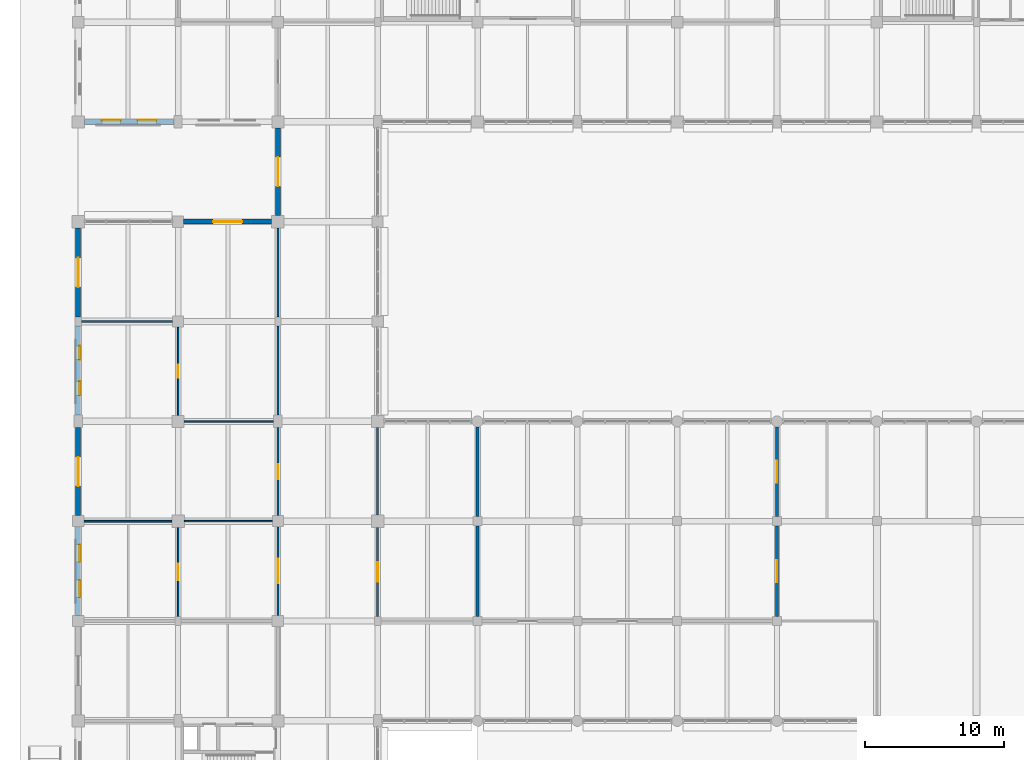
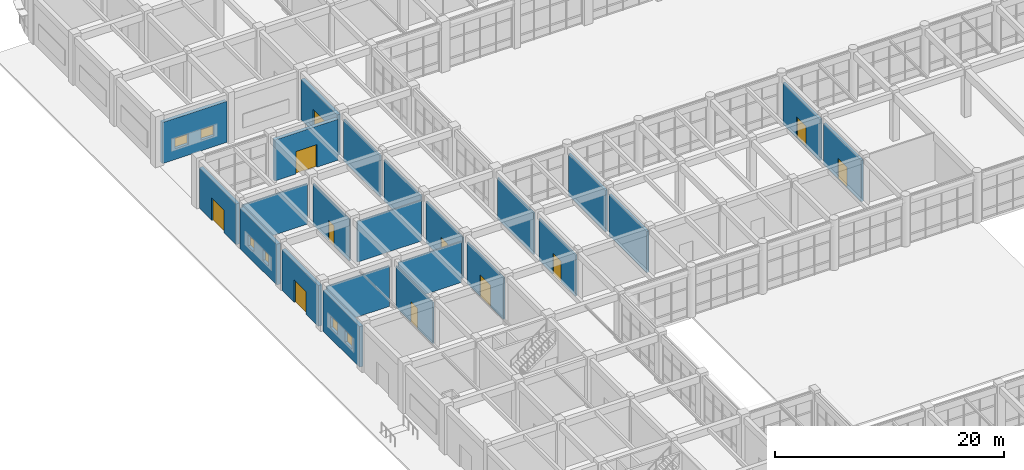
# One storey, part 140 of 160: 23 walls, 11 doors, 6 windows, 17 openings.
"""IFC4 building model written with IfcOpenShell, lengths in metres."""

from ifc_helpers import new_model, si_unit, direction, frame, frame_2d, origin, place, context, subcontext, project, spatial, rectangle, extrude, material, layer, layer_set, type_object, element, fill, save


model = new_model("IFC4")

# Units and contexts
model_context = context("Model", 3, precision=1e-05, world=origin(), true_north=direction((0.0, 1.0)))
body_context = subcontext(model_context, "Body", "Model", "MODEL_VIEW")
ifc_project = project(units=[si_unit("LENGTHUNIT", "METRE"), si_unit("AREAUNIT", "SQUARE_METRE"), si_unit("VOLUMEUNIT", "CUBIC_METRE"), si_unit("PLANEANGLEUNIT", "RADIAN"), si_unit("MASSUNIT", "GRAM", prefix="KILO")], contexts=[model_context])

# Site, building, storey
site_placement = place(None, origin())
site = spatial("IfcSite", under=ifc_project, at=site_placement, CompositionType="ELEMENT")
building_placement = place(site_placement, origin())
building = spatial("IfcBuilding", under=site, at=building_placement, Name="Thalmaran Polytechnic", CompositionType="ELEMENT")
storey_placement = place(building_placement, origin())
storey = spatial("IfcBuildingStorey", under=building, at=storey_placement, Name="L00", CompositionType="ELEMENT", Elevation=0.0)

# Wall, openings, windows
ifc_material_1 = material(Name="Precast concrete C40/50", Category="concrete")
ifc_layer_1 = layer(ifc_material_1, 0.360107421875, Name="Precast concrete C40/50")
ifc_layer_set_1 = layer_set([ifc_layer_1], Name="Precast concrete C40/50")
wall_type_1 = type_object("IfcWallType", Name="WL-EW01", PredefinedType="STANDARD", material=ifc_layer_set_1)
wall_1_placement = place(storey_placement, frame((0.0, 58.010009765625, 0.0), z_axis=(0.0, 0.0, 1.0), x_axis=(0.0, 1.0, 0.0)))
wall_1 = element("IfcWall", 1, at=wall_1_placement, inside=storey, type_object=wall_type_1, Name="Exterior Precast Facade Wall L00-009", PredefinedType="STANDARD", context=body_context, shape_type="SweptSolid", body=[
    extrude(rectangle(XDim=6.389892578125, YDim=0.360107421875, at=frame_2d((3.19482421875, 0.0))), origin(), (0.0, 0.0, 1.0), 4.3349609375),
])
opening_1_placement = place(wall_1_placement, frame((1.2919921875, 0.0, 1.14990234375)))
opening_1 = element("IfcOpeningElement", 2, at=opening_1_placement, cuts=wall_1, Name="Opening VW11", PredefinedType="OPENING", context=body_context, shape_type="SweptSolid", body=[
    extrude(rectangle(XDim=1.25, YDim=1.25, at=frame_2d((0.625, 0.625))), frame((0.0, 0.18994140625, 0.0), z_axis=(0.0, -1.0, 0.0), x_axis=(1.0, 0.0, 0.0)), (0.0, 0.0, 1.0), 0.380126953125),
])
opening_2_placement = place(wall_1_placement, frame((3.847900390625, 0.0, 1.14990234375)))
opening_2 = element("IfcOpeningElement", 3, at=opening_2_placement, cuts=wall_1, Name="Opening VW11", PredefinedType="OPENING", context=body_context, shape_type="SweptSolid", body=[
    extrude(rectangle(XDim=1.25, YDim=1.25, at=frame_2d((0.625, 0.625))), frame((0.0, 0.18994140625, 0.0), z_axis=(0.0, -1.0, 0.0), x_axis=(1.0, 0.0, 0.0)), (0.0, 0.0, 1.0), 0.380126953125),
])
ifc_material_2 = material(Name="Thermally broken aluminium and double low-E glass", Category="aluminium")
window_type_1 = type_object("IfcWindowType", Name="WN-VZ11", PartitioningType="SINGLE_PANEL", PredefinedType="WINDOW", material=ifc_material_2)
window_1_placement = place(opening_1_placement, origin())
window_1 = element("IfcWindow", 4, at=window_1_placement, inside=storey, type_object=window_type_1, Name="Deep-Set Solar-Screened Window W-0005", OverallHeight=1.25, OverallWidth=1.25, PartitioningType="SINGLE_PANEL", PredefinedType="WINDOW", context=body_context, shape_type="SweptSolid", body=[
    extrude(rectangle(XDim=1.25, YDim=1.25, at=frame_2d((0.625, 0.625))), frame((0.0, -0.080078125, 0.0), z_axis=(0.0, -1.0, 0.0), x_axis=(1.0, 0.0, 0.0)), (0.0, 0.0, 1.0), 0.06005859375),
])
fill(opening_1, window_1)
window_2_placement = place(opening_2_placement, origin())
window_2 = element("IfcWindow", 5, at=window_2_placement, inside=storey, type_object=window_type_1, Name="Deep-Set Solar-Screened Window W-0006", OverallHeight=1.25, OverallWidth=1.25, PartitioningType="SINGLE_PANEL", PredefinedType="WINDOW", context=body_context, shape_type="SweptSolid", body=[
    extrude(rectangle(XDim=1.25, YDim=1.25, at=frame_2d((0.625, 0.625))), frame((0.0, -0.080078125, 0.0), z_axis=(0.0, -1.0, 0.0), x_axis=(1.0, 0.0, 0.0)), (0.0, 0.0, 1.0), 0.06005859375),
])
fill(opening_2, window_2)

# Wall, opening, door
wall_2_placement = place(storey_placement, frame((0.0, 65.199951171875, 0.0), z_axis=(0.0, 0.0, 1.0), x_axis=(0.0, 1.0, 0.0)))
wall_2 = element("IfcWall", 6, at=wall_2_placement, inside=storey, type_object=wall_type_1, Name="Ground Entrance Portal Wall L00-010", PredefinedType="STANDARD", context=body_context, shape_type="SweptSolid", body=[
    extrude(rectangle(XDim=6.35009765625, YDim=0.360107421875, at=frame_2d((3.175048828125, 0.0))), origin(), (0.0, 0.0, 1.0), 4.3349609375),
])
opening_3_placement = place(wall_2_placement, frame((2.125, 0.0, 0.0)))
opening_3 = element("IfcOpeningElement", 7, at=opening_3_placement, cuts=wall_2, Name="Opening ED-05", PredefinedType="OPENING", context=body_context, shape_type="SweptSolid", body=[
    extrude(rectangle(XDim=2.10009765625, YDim=2.39990234375, at=frame_2d((1.050048828125, 1.199951171875))), frame((0.0, 0.18994140625, 0.0), z_axis=(0.0, -1.0, 0.0), x_axis=(1.0, 0.0, 0.0)), (0.0, 0.0, 1.0), 0.380126953125),
])
ifc_material_3 = material(Name="Anodised aluminium and safety glass", Category="aluminium")
door_type_1 = type_object("IfcDoorType", Name="DR-ED01", OperationType="NOTDEFINED", PredefinedType="DOOR", material=ifc_material_3)
door_1_placement = place(opening_3_placement, origin())
door_1 = element("IfcDoor", 8, at=door_1_placement, inside=storey, type_object=door_type_1, Name="Pedestrian Final Exit Door ED-05", OperationType="DOUBLE_DOOR_SINGLE_SWING", OverallHeight=2.39990234375, OverallWidth=2.10009765625, PredefinedType="DOOR", context=body_context, shape_type="SweptSolid", body=[
    extrude(rectangle(XDim=2.10009765625, YDim=2.39990234375, at=frame_2d((1.050048828125, 1.199951171875))), frame((0.0, 0.02490234375, 0.0), z_axis=(0.0, -1.0, 0.0), x_axis=(1.0, 0.0, 0.0)), (0.0, 0.0, 1.0), 0.050048828125),
])
fill(opening_3, door_1)

# Wall, openings, windows
wall_3_placement = place(storey_placement, frame((0.0, 72.449951171875, 0.0), z_axis=(0.0, 0.0, 1.0), x_axis=(0.0, 1.0, 0.0)))
wall_3 = element("IfcWall", 9, at=wall_3_placement, inside=storey, type_object=wall_type_1, Name="Exterior Precast Facade Wall L00-011", PredefinedType="STANDARD", context=body_context, shape_type="SweptSolid", body=[
    extrude(rectangle(XDim=6.425048828125, YDim=0.360107421875, at=frame_2d((3.21240234375, 0.0))), origin(), (0.0, 0.0, 1.0), 4.3349609375),
])
opening_4_placement = place(wall_3_placement, frame((1.427490234375, 0.0, 1.14990234375)))
opening_4 = element("IfcOpeningElement", 10, at=opening_4_placement, cuts=wall_3, Name="Opening VW13", PredefinedType="OPENING", context=body_context, shape_type="SweptSolid", body=[
    extrude(rectangle(XDim=1.0, YDim=1.199951171875, at=frame_2d((0.5, 0.60009765625))), frame((0.0, 0.18994140625, 0.0), z_axis=(0.0, -1.0, 0.0), x_axis=(1.0, 0.0, 0.0)), (0.0, 0.0, 1.0), 0.380126953125),
])
opening_5_placement = place(wall_3_placement, frame((3.99755859375, 0.0, 1.14990234375)))
opening_5 = element("IfcOpeningElement", 11, at=opening_5_placement, cuts=wall_3, Name="Opening VW13", PredefinedType="OPENING", context=body_context, shape_type="SweptSolid", body=[
    extrude(rectangle(XDim=1.0, YDim=1.199951171875, at=frame_2d((0.5, 0.60009765625))), frame((0.0, 0.18994140625, 0.0), z_axis=(0.0, -1.0, 0.0), x_axis=(1.0, 0.0, 0.0)), (0.0, 0.0, 1.0), 0.380126953125),
])
window_type_2 = type_object("IfcWindowType", Name="WN-VZ13", PartitioningType="SINGLE_PANEL", PredefinedType="WINDOW", material=ifc_material_2)
window_3_placement = place(opening_4_placement, origin())
window_3 = element("IfcWindow", 12, at=window_3_placement, inside=storey, type_object=window_type_2, Name="Deep-Set Solar-Screened Window W-0007", OverallHeight=1.199951171875, OverallWidth=1.0, PartitioningType="SINGLE_PANEL", PredefinedType="WINDOW", context=body_context, shape_type="SweptSolid", body=[
    extrude(rectangle(XDim=1.0, YDim=1.199951171875, at=frame_2d((0.5, 0.60009765625))), frame((0.0, -0.080078125, 0.0), z_axis=(0.0, -1.0, 0.0), x_axis=(1.0, 0.0, 0.0)), (0.0, 0.0, 1.0), 0.06005859375),
])
fill(opening_4, window_3)
window_4_placement = place(opening_5_placement, origin())
window_4 = element("IfcWindow", 13, at=window_4_placement, inside=storey, type_object=window_type_2, Name="Deep-Set Solar-Screened Window W-0008", OverallHeight=1.199951171875, OverallWidth=1.0, PartitioningType="SINGLE_PANEL", PredefinedType="WINDOW", context=body_context, shape_type="SweptSolid", body=[
    extrude(rectangle(XDim=1.0, YDim=1.199951171875, at=frame_2d((0.5, 0.60009765625))), frame((0.0, -0.080078125, 0.0), z_axis=(0.0, -1.0, 0.0), x_axis=(1.0, 0.0, 0.0)), (0.0, 0.0, 1.0), 0.06005859375),
])
fill(opening_5, window_4)

# Wall, opening, door
wall_4_placement = place(storey_placement, frame((0.0, 79.52490234375, 0.0), z_axis=(0.0, 0.0, 1.0), x_axis=(0.0, 1.0, 0.0)))
wall_4 = element("IfcWall", 14, at=wall_4_placement, inside=storey, type_object=wall_type_1, Name="Ground Entrance Portal Wall L00-012", PredefinedType="STANDARD", context=body_context, shape_type="SweptSolid", body=[
    extrude(rectangle(XDim=6.425048828125, YDim=0.360107421875, at=frame_2d((3.21240234375, 0.0))), origin(), (0.0, 0.0, 1.0), 4.3349609375),
])
opening_6_placement = place(wall_4_placement, frame((2.16259765625, 0.0, 0.0)))
opening_6 = element("IfcOpeningElement", 15, at=opening_6_placement, cuts=wall_4, Name="Opening ED-06", PredefinedType="OPENING", context=body_context, shape_type="SweptSolid", body=[
    extrude(rectangle(XDim=2.10009765625, YDim=2.39990234375, at=frame_2d((1.050048828125, 1.199951171875))), frame((0.0, 0.18994140625, 0.0), z_axis=(0.0, -1.0, 0.0), x_axis=(1.0, 0.0, 0.0)), (0.0, 0.0, 1.0), 0.380126953125),
])
door_2_placement = place(opening_6_placement, origin())
door_2 = element("IfcDoor", 16, at=door_2_placement, inside=storey, type_object=door_type_1, Name="Pedestrian Final Exit Door ED-06", OperationType="DOUBLE_DOOR_SINGLE_SWING", OverallHeight=2.39990234375, OverallWidth=2.10009765625, PredefinedType="DOOR", context=body_context, shape_type="SweptSolid", body=[
    extrude(rectangle(XDim=2.10009765625, YDim=2.39990234375, at=frame_2d((1.050048828125, 1.199951171875))), frame((0.0, 0.02490234375, 0.0), z_axis=(0.0, -1.0, 0.0), x_axis=(1.0, 0.0, 0.0)), (0.0, 0.0, 1.0), 0.050048828125),
])
fill(opening_6, door_2)

wall_5_placement = place(storey_placement, frame((7.60009765625, 86.39990234375, 0.0), z_axis=(0.0, 0.0, 1.0), x_axis=(1.0, 0.0, 0.0)))
wall_5 = element("IfcWall", 17, at=wall_5_placement, inside=storey, type_object=wall_type_1, Name="Ground Entrance Portal Wall L00-014", PredefinedType="STANDARD", context=body_context, shape_type="SweptSolid", body=[
    extrude(rectangle(XDim=6.349853515625, YDim=0.360107421875, at=frame_2d((3.1748046875, 0.0))), origin(), (0.0, 0.0, 1.0), 4.3701171875),
])
opening_7_placement = place(wall_5_placement, frame((2.125, 0.0, 0.0)))
opening_7 = element("IfcOpeningElement", 18, at=opening_7_placement, cuts=wall_5, Name="Opening ED-07", PredefinedType="OPENING", context=body_context, shape_type="SweptSolid", body=[
    extrude(rectangle(XDim=2.10009765625, YDim=2.39990234375, at=frame_2d((1.050048828125, 1.199951171875))), frame((0.0, 0.18994140625, 0.0), z_axis=(0.0, -1.0, 0.0), x_axis=(1.0, 0.0, 0.0)), (0.0, 0.0, 1.0), 0.380126953125),
])
door_3_placement = place(opening_7_placement, origin())
door_3 = element("IfcDoor", 19, at=door_3_placement, inside=storey, type_object=door_type_1, Name="Pedestrian Final Exit Door ED-07", OperationType="DOUBLE_DOOR_SINGLE_SWING", OverallHeight=2.39990234375, OverallWidth=2.10009765625, PredefinedType="DOOR", context=body_context, shape_type="SweptSolid", body=[
    extrude(rectangle(XDim=2.10009765625, YDim=2.39990234375, at=frame_2d((1.050048828125, 1.199951171875))), frame((0.0, 0.02490234375, 0.0), z_axis=(0.0, -1.0, 0.0), x_axis=(1.0, 0.0, 0.0)), (0.0, 0.0, 1.0), 0.050048828125),
])
fill(opening_7, door_3)

wall_6_placement = place(storey_placement, frame((14.39990234375, 86.85009765625, 0.0), z_axis=(0.0, 0.0, 1.0), x_axis=(0.0, 1.0, 0.0)))
wall_6 = element("IfcWall", 20, at=wall_6_placement, inside=storey, type_object=wall_type_1, Name="Ground Entrance Portal Wall L00-015", PredefinedType="STANDARD", context=body_context, shape_type="SweptSolid", body=[
    extrude(rectangle(XDim=6.309814453125, YDim=0.360107421875, at=frame_2d((3.15478515625, 0.0))), origin(), (0.0, 0.0, 1.0), 4.3349609375),
])
opening_8_placement = place(wall_6_placement, frame((2.10498046875, 0.0, 0.0)))
opening_8 = element("IfcOpeningElement", 21, at=opening_8_placement, cuts=wall_6, Name="Opening ED-08", PredefinedType="OPENING", context=body_context, shape_type="SweptSolid", body=[
    extrude(rectangle(XDim=2.10009765625, YDim=2.39990234375, at=frame_2d((1.050048828125, 1.199951171875))), frame((0.0, 0.18994140625, 0.0), z_axis=(0.0, -1.0, 0.0), x_axis=(1.0, 0.0, 0.0)), (0.0, 0.0, 1.0), 0.380126953125),
])
door_4_placement = place(opening_8_placement, origin())
door_4 = element("IfcDoor", 22, at=door_4_placement, inside=storey, type_object=door_type_1, Name="Pedestrian Final Exit Door ED-08", OperationType="DOUBLE_DOOR_SINGLE_SWING", OverallHeight=2.39990234375, OverallWidth=2.10009765625, PredefinedType="DOOR", context=body_context, shape_type="SweptSolid", body=[
    extrude(rectangle(XDim=2.10009765625, YDim=2.39990234375, at=frame_2d((1.050048828125, 1.199951171875))), frame((0.0, 0.02490234375, 0.0), z_axis=(0.0, -1.0, 0.0), x_axis=(1.0, 0.0, 0.0)), (0.0, 0.0, 1.0), 0.050048828125),
])
fill(opening_8, door_4)

# Wall, openings, windows
wall_7_placement = place(storey_placement, frame((6.89990234375, 93.60009765625, 0.0), z_axis=(0.0, 0.0, 1.0), x_axis=(-1.0, 0.0, 0.0)))
wall_7 = element("IfcWall", 23, at=wall_7_placement, inside=storey, type_object=wall_type_1, Name="Exterior Precast Facade Wall L00-017", PredefinedType="STANDARD", context=body_context, shape_type="SweptSolid", body=[
    extrude(rectangle(XDim=6.4599609375, YDim=0.360107421875, at=frame_2d((3.22998046875, 0.0))), origin(), (0.0, 0.0, 1.0), 4.3701171875),
])
opening_9_placement = place(wall_7_placement, frame((1.262939453125, 0.0, 1.14990234375)))
opening_9 = element("IfcOpeningElement", 24, at=opening_9_placement, cuts=wall_7, Name="Opening PW15", PredefinedType="OPENING", context=body_context, shape_type="SweptSolid", body=[
    extrude(rectangle(XDim=1.35009765625, YDim=1.10009765625, at=frame_2d((0.675048828125, 0.550048828125))), frame((0.0, 0.18994140625, 0.0), z_axis=(0.0, -1.0, 0.0), x_axis=(1.0, 0.0, 0.0)), (0.0, 0.0, 1.0), 0.380126953125),
])
opening_10_placement = place(wall_7_placement, frame((3.846923828125, 0.0, 1.14990234375)))
opening_10 = element("IfcOpeningElement", 25, at=opening_10_placement, cuts=wall_7, Name="Opening PW15", PredefinedType="OPENING", context=body_context, shape_type="SweptSolid", body=[
    extrude(rectangle(XDim=1.35009765625, YDim=1.10009765625, at=frame_2d((0.675048828125, 0.550048828125))), frame((0.0, 0.18994140625, 0.0), z_axis=(0.0, -1.0, 0.0), x_axis=(1.0, 0.0, 0.0)), (0.0, 0.0, 1.0), 0.380126953125),
])
window_type_3 = type_object("IfcWindowType", Name="WN-PW05", PartitioningType="SINGLE_PANEL", PredefinedType="WINDOW", material=ifc_material_2)
window_5_placement = place(opening_9_placement, origin())
window_5 = element("IfcWindow", 26, at=window_5_placement, inside=storey, type_object=window_type_3, Name="Deep-Set Solar-Screened Window W-0011", OverallHeight=1.10009765625, OverallWidth=1.35009765625, PartitioningType="SINGLE_PANEL", PredefinedType="WINDOW", context=body_context, shape_type="SweptSolid", body=[
    extrude(rectangle(XDim=1.35009765625, YDim=1.10009765625, at=frame_2d((0.675048828125, 0.550048828125))), frame((0.0, -0.080078125, 0.0), z_axis=(0.0, -1.0, 0.0), x_axis=(1.0, 0.0, 0.0)), (0.0, 0.0, 1.0), 0.06005859375),
])
fill(opening_9, window_5)
window_6_placement = place(opening_10_placement, origin())
window_6 = element("IfcWindow", 27, at=window_6_placement, inside=storey, type_object=window_type_3, Name="Deep-Set Solar-Screened Window W-0012", OverallHeight=1.10009765625, OverallWidth=1.35009765625, PartitioningType="SINGLE_PANEL", PredefinedType="WINDOW", context=body_context, shape_type="SweptSolid", body=[
    extrude(rectangle(XDim=1.35009765625, YDim=1.10009765625, at=frame_2d((0.675048828125, 0.550048828125))), frame((0.0, -0.080078125, 0.0), z_axis=(0.0, -1.0, 0.0), x_axis=(1.0, 0.0, 0.0)), (0.0, 0.0, 1.0), 0.06005859375),
])
fill(opening_10, window_6)

# Walls
ifc_material_4 = material(Name="Autoclaved aerated masonry", Category="masonry")
ifc_layer_2 = layer(ifc_material_4, 0.22998046875, Name="Autoclaved aerated masonry")
ifc_layer_set_2 = layer_set([ifc_layer_2], Name="Autoclaved aerated masonry")
wall_type_2 = type_object("IfcWallType", Name="WL-IW02", PredefinedType="PARTITIONING", material=ifc_layer_set_2)
wall_8_placement = place(storey_placement, frame((28.800048828125, 57.929931640625, 0.0), z_axis=(0.0, 0.0, 1.0), x_axis=(0.0, 1.0, 0.0)))
element("IfcWall", 28, at=wall_8_placement, inside=storey, type_object=wall_type_2, Name="Interior Partition IW02 L00-040", PredefinedType="PARTITIONING", context=body_context, shape_type="SweptSolid", body=[
    extrude(rectangle(XDim=6.5400390625, YDim=0.22998046875, at=frame_2d((3.27001953125, 0.0))), origin(), (0.0, 0.0, 1.0), 4.405029296875),
])
wall_9_placement = place(storey_placement, frame((28.800048828125, 65.1298828125, 0.0), z_axis=(0.0, 0.0, 1.0), x_axis=(0.0, 1.0, 0.0)))
element("IfcWall", 29, at=wall_9_placement, inside=storey, type_object=wall_type_2, Name="Interior Partition IW02 L00-041", PredefinedType="PARTITIONING", context=body_context, shape_type="SweptSolid", body=[
    extrude(rectangle(XDim=6.465087890625, YDim=0.22998046875, at=frame_2d((3.232421875, 0.0))), origin(), (0.0, 0.0, 1.0), 4.405029296875),
])

# Wall, opening, door
wall_10_placement = place(storey_placement, frame((50.39990234375, 57.929931640625, 0.0), z_axis=(0.0, 0.0, 1.0), x_axis=(0.0, 1.0, 0.0)))
wall_10 = element("IfcWall", 30, at=wall_10_placement, inside=storey, type_object=wall_type_2, Name="Interior Partition IW02 L00-058", PredefinedType="PARTITIONING", context=body_context, shape_type="SweptSolid", body=[
    extrude(rectangle(XDim=6.5400390625, YDim=0.22998046875, at=frame_2d((3.27001953125, 0.0))), origin(), (0.0, 0.0, 1.0), 4.405029296875),
])
opening_11_placement = place(wall_10_placement, frame((2.469970703125, 0.0, 0.0)))
opening_11 = element("IfcOpeningElement", 31, at=opening_11_placement, cuts=wall_10, Name="Opening D-L00-012--REF-1", PredefinedType="OPENING", context=body_context, shape_type="SweptSolid", body=[
    extrude(rectangle(XDim=1.60009765625, YDim=2.199951171875, at=frame_2d((0.800048828125, 1.10009765625))), frame((0.0, 0.125, 0.0), z_axis=(0.0, -1.0, 0.0), x_axis=(1.0, 0.0, 0.0)), (0.0, 0.0, 1.0), 0.25),
])
ifc_material_5 = material(Name="Powder-coated fire-rated steel", Category="steel")
door_type_2 = type_object("IfcDoorType", Name="DR-FD05", OperationType="NOTDEFINED", PredefinedType="DOOR", material=ifc_material_5)
door_5_placement = place(opening_11_placement, origin())
door_5 = element("IfcDoor", 32, at=door_5_placement, inside=storey, type_object=door_type_2, Name="Refectory Dining Hall Door 1", OperationType="DOUBLE_DOOR_SINGLE_SWING", OverallHeight=2.199951171875, OverallWidth=1.60009765625, PredefinedType="DOOR", context=body_context, shape_type="SweptSolid", body=[
    extrude(rectangle(XDim=1.60009765625, YDim=2.199951171875, at=frame_2d((0.800048828125, 1.10009765625))), frame((0.0, 0.02490234375, 0.0), z_axis=(0.0, -1.0, 0.0), x_axis=(1.0, 0.0, 0.0)), (0.0, 0.0, 1.0), 0.050048828125),
])
fill(opening_11, door_5)

wall_11_placement = place(storey_placement, frame((50.39990234375, 65.1298828125, 0.0), z_axis=(0.0, 0.0, 1.0), x_axis=(0.0, 1.0, 0.0)))
wall_11 = element("IfcWall", 33, at=wall_11_placement, inside=storey, type_object=wall_type_2, Name="Interior Partition IW02 L00-059", PredefinedType="PARTITIONING", context=body_context, shape_type="SweptSolid", body=[
    extrude(rectangle(XDim=6.465087890625, YDim=0.22998046875, at=frame_2d((3.232421875, 0.0))), origin(), (0.0, 0.0, 1.0), 4.405029296875),
])
opening_12_placement = place(wall_11_placement, frame((2.4326171875, 0.0, 0.0)))
opening_12 = element("IfcOpeningElement", 34, at=opening_12_placement, cuts=wall_11, Name="Opening D-L00-013--REF-2", PredefinedType="OPENING", context=body_context, shape_type="SweptSolid", body=[
    extrude(rectangle(XDim=1.60009765625, YDim=2.199951171875, at=frame_2d((0.800048828125, 1.10009765625))), frame((0.0, 0.125, 0.0), z_axis=(0.0, -1.0, 0.0), x_axis=(1.0, 0.0, 0.0)), (0.0, 0.0, 1.0), 0.25),
])
door_6_placement = place(opening_12_placement, origin())
door_6 = element("IfcDoor", 35, at=door_6_placement, inside=storey, type_object=door_type_2, Name="Refectory Dining Hall Door 2", OperationType="DOUBLE_DOOR_SINGLE_SWING", OverallHeight=2.199951171875, OverallWidth=1.60009765625, PredefinedType="DOOR", context=body_context, shape_type="SweptSolid", body=[
    extrude(rectangle(XDim=1.60009765625, YDim=2.199951171875, at=frame_2d((0.800048828125, 1.10009765625))), frame((0.0, 0.02490234375, 0.0), z_axis=(0.0, -1.0, 0.0), x_axis=(1.0, 0.0, 0.0)), (0.0, 0.0, 1.0), 0.050048828125),
])
fill(opening_12, door_6)

ifc_material_6 = material(Name="Gypsum acoustic partition")
ifc_layer_3 = layer(ifc_material_6, 0.14501953125, Name="Gypsum acoustic partition")
ifc_layer_set_3 = layer_set([ifc_layer_3], Name="Gypsum acoustic partition")
wall_type_3 = type_object("IfcWallType", Name="WL-IW06", PredefinedType="PARTITIONING", material=ifc_layer_set_3)
wall_12_placement = place(storey_placement, frame((14.39990234375, 58.014892578125, 0.0), z_axis=(0.0, 0.0, 1.0), x_axis=(0.0, 1.0, 0.0)))
wall_12 = element("IfcWall", 36, at=wall_12_placement, inside=storey, type_object=wall_type_3, Name="Interior Partition IW06 L00-020", PredefinedType="PARTITIONING", context=body_context, shape_type="SweptSolid", body=[
    extrude(rectangle(XDim=6.380126953125, YDim=0.14501953125, at=frame_2d((3.18994140625, 0.0))), origin(), (0.0, 0.0, 1.0), 4.405029296875),
])
opening_13_placement = place(wall_12_placement, frame((2.31005859375, 0.0, 0.0)))
opening_13 = element("IfcOpeningElement", 37, at=opening_13_placement, cuts=wall_12, Name="Opening D-L00-020-1-07-1", PredefinedType="OPENING", context=body_context, shape_type="SweptSolid", body=[
    extrude(rectangle(XDim=1.760009765625, YDim=2.300048828125, at=frame_2d((0.8798828125, 1.14990234375))), frame((0.0, 0.08251953125, 0.0), z_axis=(0.0, -1.0, 0.0), x_axis=(1.0, 0.0, 0.0)), (0.0, 0.0, 1.0), 0.1650390625),
])
ifc_material_7 = material(Name="Acoustic hardwood and vision glass", Category="wood")
door_type_3 = type_object("IfcDoorType", Name="DR-ZD02", OperationType="NOTDEFINED", PredefinedType="DOOR", material=ifc_material_7)
door_7_placement = place(opening_13_placement, origin())
door_7 = element("IfcDoor", 38, at=door_7_placement, inside=storey, type_object=door_type_3, Name="Environmental Engineering Laboratory L00-07 Door 1", OperationType="SINGLE_SWING_LEFT", OverallHeight=2.300048828125, OverallWidth=1.760009765625, PredefinedType="DOOR", context=body_context, shape_type="SweptSolid", body=[
    extrude(rectangle(XDim=1.760009765625, YDim=2.300048828125, at=frame_2d((0.8798828125, 1.14990234375))), frame((0.0, 0.02490234375, 0.0), z_axis=(0.0, -1.0, 0.0), x_axis=(1.0, 0.0, 0.0)), (0.0, 0.0, 1.0), 0.050048828125),
])
fill(opening_13, door_7)

wall_13_placement = place(storey_placement, frame((14.39990234375, 65.205078125, 0.0), z_axis=(0.0, 0.0, 1.0), x_axis=(0.0, 1.0, 0.0)))
wall_13 = element("IfcWall", 39, at=wall_13_placement, inside=storey, type_object=wall_type_3, Name="Interior Partition IW06 L00-022", PredefinedType="PARTITIONING", context=body_context, shape_type="SweptSolid", body=[
    extrude(rectangle(XDim=6.33984375, YDim=0.14501953125, at=frame_2d((3.169921875, 0.0))), origin(), (0.0, 0.0, 1.0), 4.405029296875),
])
opening_14_placement = place(wall_13_placement, frame((2.6201171875, 0.0, 0.0)))
opening_14 = element("IfcOpeningElement", 40, at=opening_14_placement, cuts=wall_13, Name="Opening D-L00-017-1-04-1", PredefinedType="OPENING", context=body_context, shape_type="SweptSolid", body=[
    extrude(rectangle(XDim=1.10009765625, YDim=2.14990234375, at=frame_2d((0.550048828125, 1.074951171875))), frame((0.0, 0.08251953125, 0.0), z_axis=(0.0, -1.0, 0.0), x_axis=(1.0, 0.0, 0.0)), (0.0, 0.0, 1.0), 0.1650390625),
])
door_type_4 = type_object("IfcDoorType", Name="DR-FD07", OperationType="NOTDEFINED", PredefinedType="DOOR", material=ifc_material_5)
door_8_placement = place(opening_14_placement, origin())
door_8 = element("IfcDoor", 41, at=door_8_placement, inside=storey, type_object=door_type_4, Name="Seminar Room L00-04 Door 1", OperationType="SINGLE_SWING_RIGHT", OverallHeight=2.14990234375, OverallWidth=1.10009765625, PredefinedType="DOOR", context=body_context, shape_type="SweptSolid", body=[
    extrude(rectangle(XDim=1.10009765625, YDim=2.14990234375, at=frame_2d((0.550048828125, 1.074951171875))), frame((0.0, 0.02490234375, 0.0), z_axis=(0.0, -1.0, 0.0), x_axis=(1.0, 0.0, 0.0)), (0.0, 0.0, 1.0), 0.050048828125),
])
fill(opening_14, door_8)

# Walls
wall_14_placement = place(storey_placement, frame((14.39990234375, 72.455078125, 0.0), z_axis=(0.0, 0.0, 1.0), x_axis=(0.0, 1.0, 0.0)))
element("IfcWall", 42, at=wall_14_placement, inside=storey, type_object=wall_type_3, Name="Interior Partition IW06 L00-024", PredefinedType="PARTITIONING", context=body_context, shape_type="SweptSolid", body=[
    extrude(rectangle(XDim=6.4150390625, YDim=0.14501953125, at=frame_2d((3.20751953125, 0.0))), origin(), (0.0, 0.0, 1.0), 4.39990234375),
])
wall_15_placement = place(storey_placement, frame((14.39990234375, 79.530029296875, 0.0), z_axis=(0.0, 0.0, 1.0), x_axis=(0.0, 1.0, 0.0)))
element("IfcWall", 43, at=wall_15_placement, inside=storey, type_object=wall_type_3, Name="Interior Partition IW06 L00-025", PredefinedType="PARTITIONING", context=body_context, shape_type="SweptSolid", body=[
    extrude(rectangle(XDim=6.4150390625, YDim=0.14501953125, at=frame_2d((3.20751953125, 0.0))), origin(), (0.0, 0.0, 1.0), 4.39501953125),
])

# Wall, opening, door
wall_16_placement = place(storey_placement, frame((21.60009765625, 57.929931640625, 0.0), z_axis=(0.0, 0.0, 1.0), x_axis=(0.0, 1.0, 0.0)))
wall_16 = element("IfcWall", 44, at=wall_16_placement, inside=storey, type_object=wall_type_3, Name="Interior Partition IW06 L00-032", PredefinedType="PARTITIONING", context=body_context, shape_type="SweptSolid", body=[
    extrude(rectangle(XDim=6.4150390625, YDim=0.14501953125, at=frame_2d((3.20751953125, 0.0))), origin(), (0.0, 0.0, 1.0), 4.405029296875),
])
opening_15_placement = place(wall_16_placement, frame((2.517578125, 0.0, 0.0)))
opening_15 = element("IfcOpeningElement", 45, at=opening_15_placement, cuts=wall_16, Name="Opening D-L00-022-1-09-1", PredefinedType="OPENING", context=body_context, shape_type="SweptSolid", body=[
    extrude(rectangle(XDim=1.3798828125, YDim=2.219970703125, at=frame_2d((0.68994140625, 1.10986328125))), frame((0.0, 0.08251953125, 0.0), z_axis=(0.0, -1.0, 0.0), x_axis=(1.0, 0.0, 0.0)), (0.0, 0.0, 1.0), 0.1650390625),
])
door_type_5 = type_object("IfcDoorType", Name="DR-ZD04", OperationType="NOTDEFINED", PredefinedType="DOOR", material=ifc_material_7)
door_9_placement = place(opening_15_placement, origin())
door_9 = element("IfcDoor", 46, at=door_9_placement, inside=storey, type_object=door_type_5, Name="Fluid Mechanics Laboratory L00-09 Door 1", OperationType="SINGLE_SWING_LEFT", OverallHeight=2.219970703125, OverallWidth=1.3798828125, PredefinedType="DOOR", context=body_context, shape_type="SweptSolid", body=[
    extrude(rectangle(XDim=1.3798828125, YDim=2.219970703125, at=frame_2d((0.68994140625, 1.10986328125))), frame((0.0, 0.02490234375, 0.0), z_axis=(0.0, -1.0, 0.0), x_axis=(1.0, 0.0, 0.0)), (0.0, 0.0, 1.0), 0.050048828125),
])
fill(opening_15, door_9)

# Walls
wall_17_placement = place(storey_placement, frame((21.60009765625, 65.2548828125, 0.0), z_axis=(0.0, 0.0, 1.0), x_axis=(0.0, 1.0, 0.0)))
element("IfcWall", 47, at=wall_17_placement, inside=storey, type_object=wall_type_3, Name="Interior Partition IW06 L00-033", PredefinedType="PARTITIONING", context=body_context, shape_type="SweptSolid", body=[
    extrude(rectangle(XDim=6.300048828125, YDim=0.14501953125, at=frame_2d((3.14990234375, 0.0))), origin(), (0.0, 0.0, 1.0), 4.405029296875),
])
ifc_layer_4 = layer(ifc_material_6, 0.1298828125, Name="Gypsum acoustic partition")
ifc_layer_set_4 = layer_set([ifc_layer_4], Name="Gypsum acoustic partition")
wall_type_4 = type_object("IfcWallType", Name="WL-IW07", PredefinedType="PARTITIONING", material=ifc_layer_set_4)
wall_18_placement = place(storey_placement, frame((0.405029296875, 64.800048828125, 0.0), z_axis=(0.0, 0.0, 1.0), x_axis=(1.0, 0.0, 0.0)))
element("IfcWall", 48, at=wall_18_placement, inside=storey, type_object=wall_type_4, Name="Interior Partition IW07 L00-008", PredefinedType="PARTITIONING", context=body_context, shape_type="SweptSolid", body=[
    extrude(rectangle(XDim=6.340087890625, YDim=0.1298828125, at=frame_2d((3.169921875, 0.0))), origin(), (0.0, 0.0, 1.0), 4.31005859375),
])
wall_19_placement = place(storey_placement, frame((0.22998046875, 79.199951171875, 0.0), z_axis=(0.0, 0.0, 1.0), x_axis=(1.0, 0.0, 0.0)))
element("IfcWall", 49, at=wall_19_placement, inside=storey, type_object=wall_type_4, Name="Interior Partition IW07 L00-010", PredefinedType="PARTITIONING", context=body_context, shape_type="SweptSolid", body=[
    extrude(rectangle(XDim=6.554931640625, YDim=0.1298828125, at=frame_2d((3.27734375, 0.0))), origin(), (0.0, 0.0, 1.0), 4.31005859375),
])

# Wall, opening, door
ifc_layer_5 = layer(ifc_material_6, 0.114990234375, Name="Gypsum acoustic partition")
ifc_layer_set_5 = layer_set([ifc_layer_5], Name="Gypsum acoustic partition")
wall_type_5 = type_object("IfcWallType", Name="WL-IW08", PredefinedType="PARTITIONING", material=ifc_layer_set_5)
wall_20_placement = place(storey_placement, frame((7.199951171875, 57.929931640625, 0.0), z_axis=(0.0, 0.0, 1.0), x_axis=(0.0, 1.0, 0.0)))
wall_20 = element("IfcWall", 50, at=wall_20_placement, inside=storey, type_object=wall_type_5, Name="Interior Partition IW08 L00-007", PredefinedType="PARTITIONING", context=body_context, shape_type="SweptSolid", body=[
    extrude(rectangle(XDim=6.4150390625, YDim=0.114990234375, at=frame_2d((3.20751953125, 0.0))), origin(), (0.0, 0.0, 1.0), 4.405029296875),
])
opening_16_placement = place(wall_20_placement, frame((2.617431640625, 0.0, 0.0)))
opening_16 = element("IfcOpeningElement", 51, at=opening_16_placement, cuts=wall_20, Name="Opening D-L00-050-1-03-1", PredefinedType="OPENING", context=body_context, shape_type="SweptSolid", body=[
    extrude(rectangle(XDim=1.179931640625, YDim=2.179931640625, at=frame_2d((0.58984375, 1.08984375))), frame((0.0, 0.0673828125, 0.0), z_axis=(0.0, -1.0, 0.0), x_axis=(1.0, 0.0, 0.0)), (0.0, 0.0, 1.0), 0.135009765625),
])
ifc_material_8 = material(Name="Acoustic hardwood", Category="wood")
door_type_6 = type_object("IfcDoorType", Name="DR-ZD05", OperationType="NOTDEFINED", PredefinedType="DOOR", material=ifc_material_8)
door_10_placement = place(opening_16_placement, origin())
door_10 = element("IfcDoor", 52, at=door_10_placement, inside=storey, type_object=door_type_6, Name="Industrial Design Studio L00-03 Door 1", OperationType="SINGLE_SWING_RIGHT", OverallHeight=2.179931640625, OverallWidth=1.179931640625, PredefinedType="DOOR", context=body_context, shape_type="SweptSolid", body=[
    extrude(rectangle(XDim=1.179931640625, YDim=2.179931640625, at=frame_2d((0.58984375, 1.08984375))), frame((0.0, 0.02490234375, 0.0), z_axis=(0.0, -1.0, 0.0), x_axis=(1.0, 0.0, 0.0)), (0.0, 0.0, 1.0), 0.050048828125),
])
fill(opening_16, door_10)

wall_21_placement = place(storey_placement, frame((7.199951171875, 72.445068359375, 0.0), z_axis=(0.0, 0.0, 1.0), x_axis=(0.0, 1.0, 0.0)))
wall_21 = element("IfcWall", 53, at=wall_21_placement, inside=storey, type_object=wall_type_5, Name="Interior Partition IW08 L00-009", PredefinedType="PARTITIONING", context=body_context, shape_type="SweptSolid", body=[
    extrude(rectangle(XDim=6.33984375, YDim=0.114990234375, at=frame_2d((3.169921875, 0.0))), origin(), (0.0, 0.0, 1.0), 4.39990234375),
])
opening_17_placement = place(wall_21_placement, frame((2.695068359375, 0.0, 0.0)))
opening_17 = element("IfcOpeningElement", 54, at=opening_17_placement, cuts=wall_21, Name="Opening D-L00-018-1-05-1", PredefinedType="OPENING", context=body_context, shape_type="SweptSolid", body=[
    extrude(rectangle(XDim=0.949951171875, YDim=2.14990234375, at=frame_2d((0.47509765625, 1.074951171875))), frame((0.0, 0.0673828125, 0.0), z_axis=(0.0, -1.0, 0.0), x_axis=(1.0, 0.0, 0.0)), (0.0, 0.0, 1.0), 0.135009765625),
])
door_type_7 = type_object("IfcDoorType", Name="DR-FD08", OperationType="NOTDEFINED", PredefinedType="DOOR", material=ifc_material_5)
door_11_placement = place(opening_17_placement, origin())
door_11 = element("IfcDoor", 55, at=door_11_placement, inside=storey, type_object=door_type_7, Name="Thermodynamics Laboratory L00-05 Door 1", OperationType="SINGLE_SWING_LEFT", OverallHeight=2.14990234375, OverallWidth=0.949951171875, PredefinedType="DOOR", context=body_context, shape_type="SweptSolid", body=[
    extrude(rectangle(XDim=0.949951171875, YDim=2.14990234375, at=frame_2d((0.47509765625, 1.074951171875))), frame((0.0, 0.02490234375, 0.0), z_axis=(0.0, -1.0, 0.0), x_axis=(1.0, 0.0, 0.0)), (0.0, 0.0, 1.0), 0.050048828125),
])
fill(opening_17, door_11)

# Walls
wall_22_placement = place(storey_placement, frame((7.655029296875, 64.800048828125, 0.0), z_axis=(0.0, 0.0, 1.0), x_axis=(1.0, 0.0, 0.0)))
element("IfcWall", 56, at=wall_22_placement, inside=storey, type_object=wall_type_5, Name="Interior Partition IW08 L00-021", PredefinedType="PARTITIONING", context=body_context, shape_type="SweptSolid", body=[
    extrude(rectangle(XDim=6.340087890625, YDim=0.114990234375, at=frame_2d((3.169921875, 0.0))), origin(), (0.0, 0.0, 1.0), 4.340087890625),
])
wall_23_placement = place(storey_placement, frame((7.64501953125, 72.0, 0.0), z_axis=(0.0, 0.0, 1.0), x_axis=(1.0, 0.0, 0.0)))
element("IfcWall", 57, at=wall_23_placement, inside=storey, type_object=wall_type_5, Name="Interior Partition IW08 L00-023", PredefinedType="PARTITIONING", context=body_context, shape_type="SweptSolid", body=[
    extrude(rectangle(XDim=6.449951171875, YDim=0.114990234375, at=frame_2d((3.22509765625, 0.0))), origin(), (0.0, 0.0, 1.0), 4.340087890625),
])

save(model, "model.ifc")
